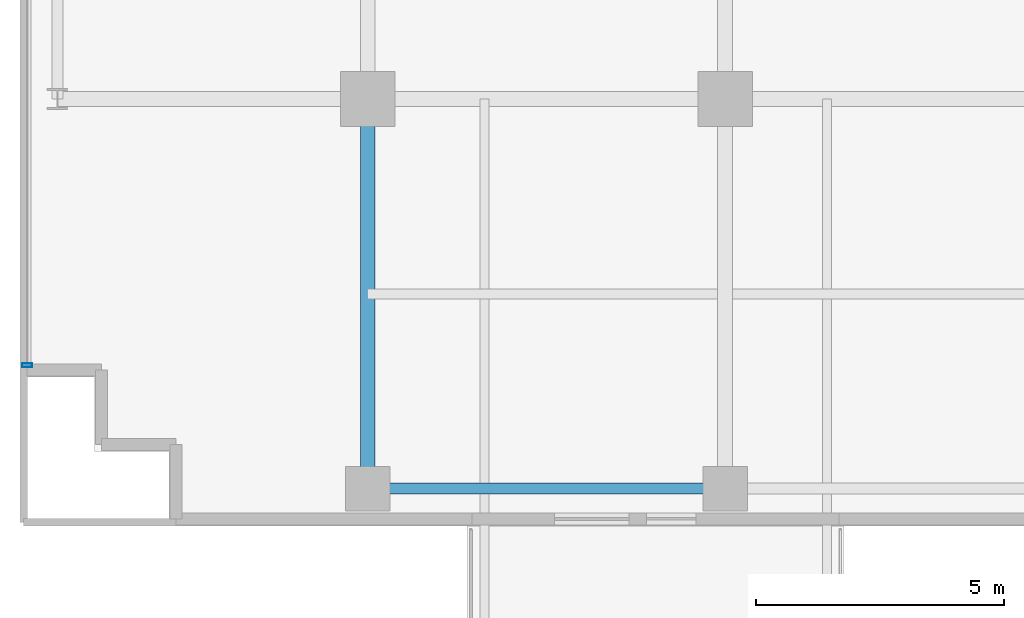
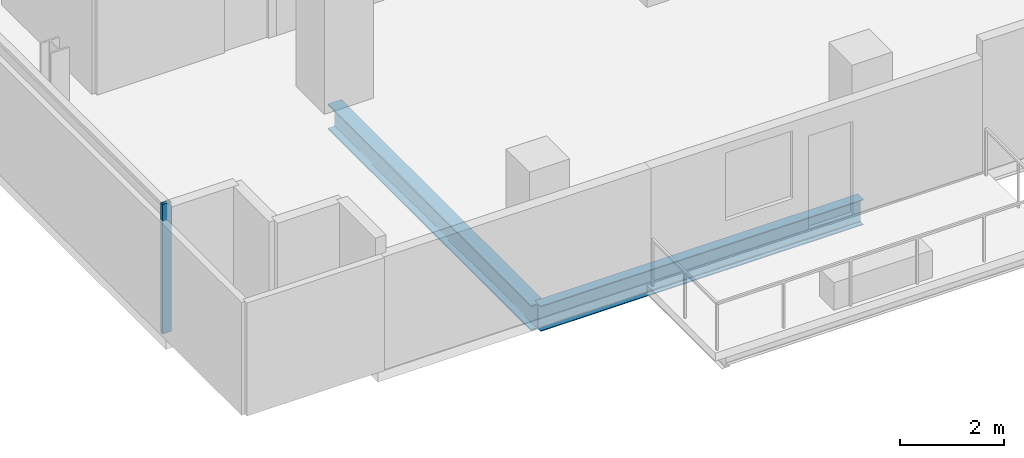
# One storey, part 2 of 26: 2 beams, 1 member, 1 element without a shape of its own.
"""IFC4 building model written with IfcOpenShell, lengths in metres."""

from ifc_helpers import new_model, si_unit, direction, frame, origin, origin_2d, place, context, subcontext, project, spatial, hollow_rectangle, i_section, extrude, source, transform, mapped, material, layer, layer_set, material_profile, profile_set, type_object, element, aggregate, save


model = new_model("IFC4")

# Units and contexts
model_context = context("Model", 3, precision=1e-05, world=origin(), true_north=direction((0.0, 1.0)))
body_context = subcontext(model_context, "Body", "Model", "MODEL_VIEW")
ifc_project = project(units=[si_unit("LENGTHUNIT", "METRE"), si_unit("AREAUNIT", "SQUARE_METRE"), si_unit("VOLUMEUNIT", "CUBIC_METRE"), si_unit("PLANEANGLEUNIT", "RADIAN"), si_unit("MASSUNIT", "GRAM", prefix="KILO")], contexts=[model_context])

# Site, building, storey
site_placement = place(None, origin())
site = spatial("IfcSite", under=ifc_project, at=site_placement, CompositionType="ELEMENT")
building_placement = place(site_placement, origin())
building = spatial("IfcBuilding", under=site, at=building_placement, Name="Zarnakvel Exchange Tower", CompositionType="ELEMENT")
storey_placement = place(building_placement, frame((0.0, 0.0, 63.699951171875)))
storey = spatial("IfcBuildingStorey", under=building, at=storey_placement, Name="L17", CompositionType="ELEMENT", Elevation=63.699951171875)

# Beams
ifc_material_1 = material(Name="Steel S355", Category="steel")
ifc_material_profile_1 = material_profile(ifc_material_1, i_section(OverallWidth=0.300048828125, OverallDepth=0.60009765625, WebThickness=0.015380859375, FlangeThickness=0.030029296875, FilletRadius=0.027099609375, at=origin_2d()))
ifc_profile_set_1 = profile_set([ifc_material_profile_1], Name="Steel S355")
beam_type_1 = type_object("IfcBeamType", Name="G-04", PredefinedType="BEAM", material=ifc_profile_set_1)
beam_1_placement = place(storey_placement, frame((-21.60009765625, -17.449951171875, -0.52490234375), z_axis=(0.0, 1.0, 0.0), x_axis=(-1.0, 0.0, 0.0)))
element("IfcBeam", 1, at=beam_1_placement, inside=storey, type_object=beam_type_1, Name="L17 Tower N-S Frame Beam", PredefinedType="BEAM", context=body_context, shape_type="SweptSolid", body=[
    extrude(i_section(OverallWidth=0.300048828125, OverallDepth=0.60009765625, WebThickness=0.015380859375, FlangeThickness=0.030029296875, FilletRadius=0.027099609375, at=origin_2d()), origin(), (0.0, 0.0, 1.0), 7.849853515625),
])
ifc_material_profile_2 = material_profile(ifc_material_1, i_section(OverallWidth=0.219970703125, OverallDepth=0.60009765625, WebThickness=0.011962890625, FlangeThickness=0.01904296875, FilletRadius=0.02392578125, at=origin_2d()))
ifc_profile_set_2 = profile_set([ifc_material_profile_2], Name="Steel S355")
beam_type_2 = type_object("IfcBeamType", Name="SP-01", PredefinedType="SPANDREL", material=ifc_profile_set_2)
beam_2_placement = place(storey_placement, frame((-21.60009765625, -17.449951171875, -0.52490234375), z_axis=(1.0, 0.0, 0.0), x_axis=(0.0, 1.0, 0.0)))
element("IfcBeam", 2, at=beam_2_placement, inside=storey, type_object=beam_type_2, Name="L17 Tower E-W Frame Beam", PredefinedType="SPANDREL", context=body_context, shape_type="SweptSolid", body=[
    extrude(i_section(OverallWidth=0.219970703125, OverallDepth=0.60009765625, WebThickness=0.011962890625, FlangeThickness=0.01904296875, FilletRadius=0.02392578125, at=origin_2d()), origin(), (0.0, 0.0, 1.0), 7.2001953125),
])

# Curtain wall, member
ifc_material_2 = material(Name="Architectural Bronze Anodised Aluminium", Category="aluminium")
ifc_layer = layer(ifc_material_2, 0.199951171875)
ifc_layer_set = layer_set([ifc_layer], Name="Architectural Bronze Anodised Aluminium")
curtain_wall_type = type_object("IfcCurtainWallType", Name="CW-04", PredefinedType="NOTDEFINED", material=ifc_layer_set)
curtain_wall_placement = place(storey_placement, origin())
curtain_wall = element("IfcCurtainWall", 3, at=curtain_wall_placement, inside=storey, type_object=curtain_wall_type, Name="L17 Curtain Wall CW-L17-W1 (CW-04)", PredefinedType="NOTDEFINED")
ifc_material_profile_3 = material_profile(ifc_material_2, hollow_rectangle(XDim=0.199951171875, YDim=0.074951171875, WallThickness=0.0048828125, at=origin_2d()))
ifc_profile_set_3 = profile_set([ifc_material_profile_3], Name="Architectural Bronze Anodised Aluminium")
member_type = type_object("IfcMemberType", Name="CWM-04", PredefinedType="MULLION", material=ifc_profile_set_3)
shared_shape = source(origin(), body_context, "Body", "SweptSolid", [
    extrude(hollow_rectangle(XDim=0.199951171875, YDim=0.074951171875, WallThickness=0.0048828125, at=origin_2d()), origin(), (0.0, 0.0, 1.0), 3.054931640625),
])
member_placement = place(storey_placement, frame((-28.4599609375, -14.96240234375, 0.0), z_axis=(0.0, 0.0, 1.0), x_axis=(-1.0, 0.0, 0.0)))
member = element("IfcMember", 4, at=member_placement, type_object=member_type, Name="CW-04 mullion 1", PredefinedType="MULLION", context=body_context, shape_type="MappedRepresentation", body=[
    mapped(shared_shape, transform((0.0, 0.0, 0.0), x_axis=(1.0, 0.0, 0.0), y_axis=(0.0, 1.0, 0.0), z_axis=(0.0, 0.0, 1.0), scale=1.0)),
])
aggregate(curtain_wall, [member])

save(model, "model.ifc")
